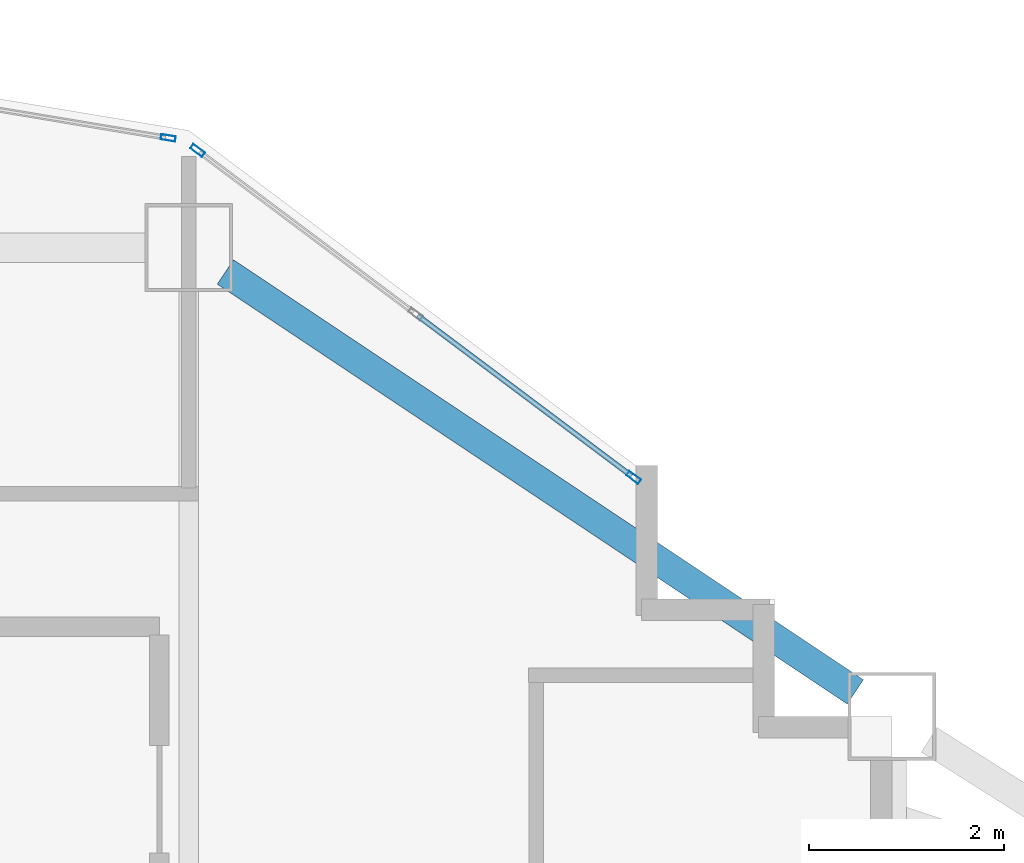
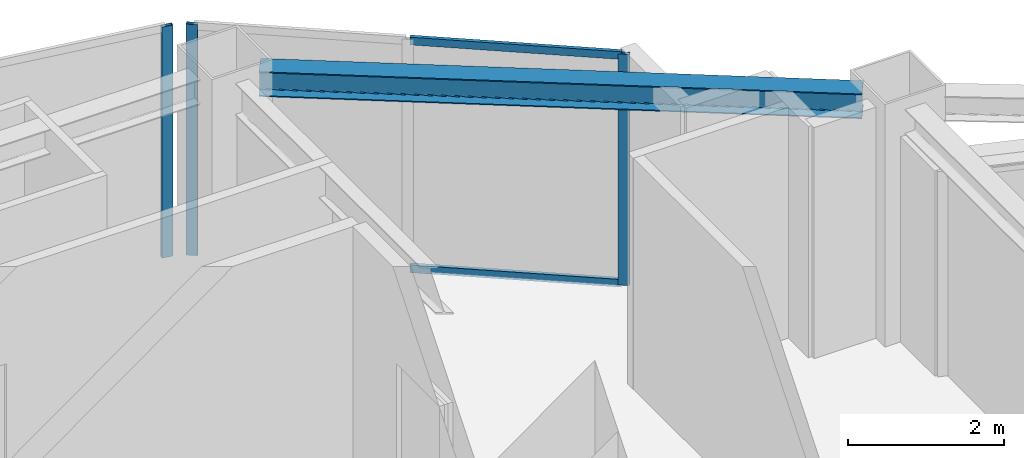
# One storey, part 3 of 12: 5 members, 1 beam, 2 elements without a shape of their own.
"""IFC4 building model written with IfcOpenShell, lengths in metres."""

from ifc_helpers import new_model, si_unit, direction, frame, origin, origin_2d, place, context, subcontext, project, spatial, hollow_rectangle, i_section, extrude, material, layer, layer_set, material_profile, profile_set, type_object, element, aggregate, save


model = new_model("IFC4")

# Units and contexts
model_context = context("Model", 3, precision=1e-05, world=origin(), true_north=direction((0.0, 1.0)))
body_context = subcontext(model_context, "Body", "Model", "MODEL_VIEW")
ifc_project = project(units=[si_unit("LENGTHUNIT", "METRE"), si_unit("AREAUNIT", "SQUARE_METRE"), si_unit("VOLUMEUNIT", "CUBIC_METRE"), si_unit("PLANEANGLEUNIT", "RADIAN"), si_unit("MASSUNIT", "GRAM", prefix="KILO")], contexts=[model_context])

# Site, building, storey
site_placement = place(None, origin())
site = spatial("IfcSite", under=ifc_project, at=site_placement, CompositionType="ELEMENT")
building_placement = place(site_placement, origin())
building = spatial("IfcBuilding", under=site, at=building_placement, Name="Haolan Belvedere Tower", CompositionType="ELEMENT")
storey_placement = place(building_placement, frame((0.0, 0.0, 195.60009765625)))
storey = spatial("IfcBuildingStorey", under=building, at=storey_placement, Name="L49", CompositionType="ELEMENT", Elevation=195.60009765625)

# Beam
ifc_material_1 = material(Name="Steel Q355B", Category="steel")
ifc_material_profile_1 = material_profile(ifc_material_1, i_section(OverallWidth=0.300048828125, OverallDepth=0.389892578125, WebThickness=0.010009765625, FlangeThickness=0.01611328125, FilletRadius=0.02197265625, at=origin_2d()), Name="Steel Q355B")
ifc_profile_set_1 = profile_set([ifc_material_profile_1], Name="Steel Q355B")
beam_type = type_object("IfcBeamType", Name="BM-HM390x300x10x16", PredefinedType="SPANDREL", material=ifc_profile_set_1)
beam_placement = place(storey_placement, frame((45.974365234375, 50.150390625, 3.4248046875), z_axis=(0.832050294338, -0.554700196225, 0.0), x_axis=(0.554700196225, 0.832050294338, 0.0)))
element("IfcBeam", 1, at=beam_placement, inside=storey, type_object=beam_type, Name="L49 spandrel girder MC-T3-N2-MC-T3-NE", PredefinedType="SPANDREL", context=body_context, shape_type="SweptSolid", body=[
    extrude(i_section(OverallWidth=0.300048828125, OverallDepth=0.389892578125, WebThickness=0.010009765625, FlangeThickness=0.01611328125, FilletRadius=0.02197265625, at=origin_2d()), origin(), (0.0, 0.0, 1.0), 7.75341796875),
])

# Curtain wall, members
ifc_material_2 = material(Name="Anodised champagne-silver aluminium 6063-T6 and Low-E glass", Category="aluminium")
ifc_layer = layer(ifc_material_2, 0.14990234375, Name="Anodised champagne-silver aluminium 6063-T6 and Low-E glass")
ifc_layer_set = layer_set([ifc_layer], Name="Anodised champagne-silver aluminium 6063-T6 and Low-E glass")
curtain_wall_type = type_object("IfcCurtainWallType", Name="CW-SYS-04", PredefinedType="NOTDEFINED", material=ifc_layer_set)
curtain_wall_1_placement = place(storey_placement, origin())
curtain_wall_1 = element("IfcCurtainWall", 2, at=curtain_wall_1_placement, inside=storey, type_object=curtain_wall_type, Name="L49 CW-SYS-04 ribbon curtain wall 20.1", PredefinedType="NOTDEFINED")
ifc_material_3 = material(Name="Anodised aluminium 6063-T6", Category="aluminium")
ifc_material_profile_2 = material_profile(ifc_material_3, hollow_rectangle(XDim=0.055908203125, YDim=0.14990234375, WallThickness=0.00390625, at=origin_2d()), Name="Anodised aluminium 6063-T6")
ifc_profile_set_2 = profile_set([ifc_material_profile_2], Name="Anodised aluminium 6063-T6")
member_type_1 = type_object("IfcMemberType", Name="CW-SYS-04-MUL", PredefinedType="MULLION", material=ifc_profile_set_2)
member_1_placement = place(storey_placement, frame((50.155517578125, 48.0458984375, 0.0), z_axis=(0.0, 0.0, 1.0), x_axis=(-0.600002837806, -0.799997871638, 0.0)))
member_1 = element("IfcMember", 3, at=member_1_placement, type_object=member_type_1, Name="CW-04 mullion 1", PredefinedType="MULLION", context=body_context, shape_type="SweptSolid", body=[
    extrude(hollow_rectangle(XDim=0.055908203125, YDim=0.14990234375, WallThickness=0.00390625, at=origin_2d()), origin(), (0.0, 0.0, 1.0), 3.619873046875),
])
member_2_placement = place(storey_placement, frame((45.68994140625, 51.39501953125, 0.0), z_axis=(0.0, 0.0, 1.0), x_axis=(-0.600002837806, -0.799997871638, 0.0)))
member_2 = element("IfcMember", 4, at=member_2_placement, type_object=member_type_1, Name="CW-04 mullion 3", PredefinedType="MULLION", context=body_context, shape_type="SweptSolid", body=[
    extrude(hollow_rectangle(XDim=0.055908203125, YDim=0.14990234375, WallThickness=0.00390625, at=origin_2d()), origin(), (0.0, 0.0, 1.0), 3.619873046875),
])

# Curtain wall, member
curtain_wall_2_placement = place(storey_placement, origin())
curtain_wall_2 = element("IfcCurtainWall", 5, at=curtain_wall_2_placement, inside=storey, type_object=curtain_wall_type, Name="L49 CW-SYS-04 ribbon curtain wall 21.1", PredefinedType="NOTDEFINED")
member_3_placement = place(storey_placement, frame((45.389892578125, 51.5234375, 0.0), z_axis=(0.0, 0.0, 1.0), x_axis=(-0.164405962825, -0.98639276122, 0.0)))
member_3 = element("IfcMember", 6, at=member_3_placement, type_object=member_type_1, Name="CW-04 mullion 1", PredefinedType="MULLION", context=body_context, shape_type="SweptSolid", body=[
    extrude(hollow_rectangle(XDim=0.055908203125, YDim=0.14990234375, WallThickness=0.00390625, at=origin_2d()), origin(), (0.0, 0.0, 1.0), 3.619873046875),
])
aggregate(curtain_wall_2, [member_3])

# Member
ifc_material_profile_3 = material_profile(ifc_material_3, hollow_rectangle(XDim=0.052001953125, YDim=0.1201171875, WallThickness=0.00390625, at=origin_2d()), Name="Anodised aluminium 6063-T6")
ifc_profile_set_3 = profile_set([ifc_material_profile_3], Name="Anodised aluminium 6063-T6")
member_type_2 = type_object("IfcMemberType", Name="CW-SYS-04-TRN", PredefinedType="USERDEFINED", material=ifc_profile_set_3)
member_4_placement = place(storey_placement, frame((50.13330078125, 48.0625, 0.02587890625), z_axis=(-0.800010710715, 0.59998571878, 0.0), x_axis=(-0.59998571878, -0.800010710715, 0.0)))
member_4 = element("IfcMember", 7, at=member_4_placement, type_object=member_type_2, Name="CW-04 transom 1.1", ObjectType="TRANSOM", PredefinedType="USERDEFINED", context=body_context, shape_type="SweptSolid", body=[
    extrude(hollow_rectangle(XDim=0.052001953125, YDim=0.1201171875, WallThickness=0.00390625, at=origin_2d()), origin(), (0.0, 0.0, 1.0), 2.7353515625),
])

member_5_placement = place(storey_placement, frame((50.13330078125, 48.0625, 3.593994140625), z_axis=(-0.800010710715, 0.59998571878, 0.0), x_axis=(-0.59998571878, -0.800010710715, 0.0)))
member_5 = element("IfcMember", 8, at=member_5_placement, type_object=member_type_2, Name="CW-04 transom 1.2", ObjectType="TRANSOM", PredefinedType="USERDEFINED", context=body_context, shape_type="SweptSolid", body=[
    extrude(hollow_rectangle(XDim=0.052001953125, YDim=0.1201171875, WallThickness=0.00390625, at=origin_2d()), origin(), (0.0, 0.0, 1.0), 2.7353515625),
])

aggregate(curtain_wall_1, [member_1, member_2, member_4, member_5])

save(model, "model.ifc")
